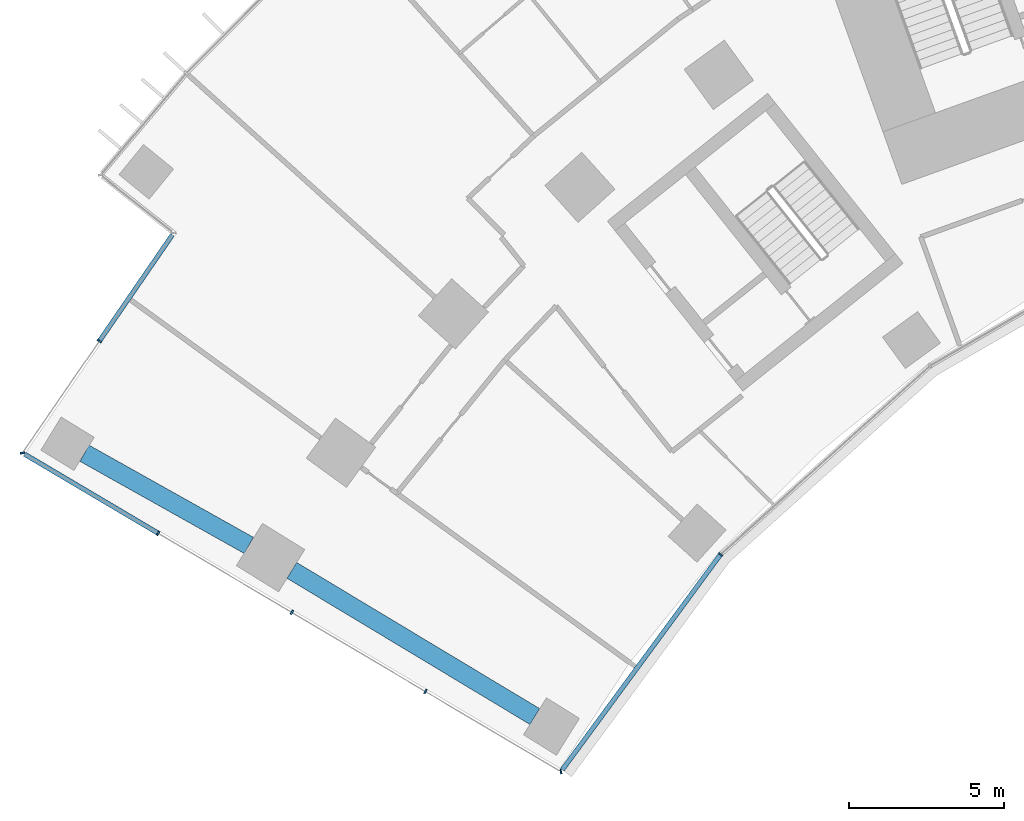
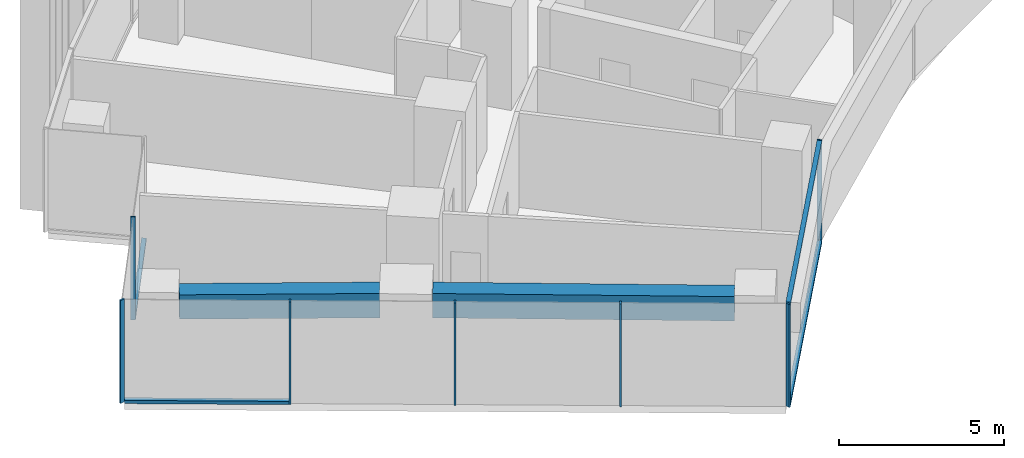
# One storey, part 2 of 24: 11 members, 2 beams, 3 elements without a shape of their own.
"""IFC4 building model written with IfcOpenShell, lengths in metres."""

from ifc_helpers import new_model, si_unit, direction, frame, origin, origin_2d, place, context, subcontext, project, spatial, rectangle, extrude, material, layer, layer_set, material_profile, profile_set, type_object, element, aggregate, save


model = new_model("IFC4")

# Units and contexts
model_context = context("Model", 3, precision=1e-05, world=origin(), true_north=direction((0.0, 1.0)))
body_context = subcontext(model_context, "Body", "Model", "MODEL_VIEW")
ifc_project = project(units=[si_unit("LENGTHUNIT", "METRE"), si_unit("AREAUNIT", "SQUARE_METRE"), si_unit("VOLUMEUNIT", "CUBIC_METRE"), si_unit("PLANEANGLEUNIT", "RADIAN"), si_unit("MASSUNIT", "GRAM", prefix="KILO")], contexts=[model_context])

# Site, building, storey
site_placement = place(None, origin())
site = spatial("IfcSite", under=ifc_project, at=site_placement, CompositionType="ELEMENT")
building_placement = place(site_placement, origin())
building = spatial("IfcBuilding", under=site, at=building_placement, Name="Stone Belt Terrace Tower", CompositionType="ELEMENT")
storey_placement = place(building_placement, frame((0.0, 0.0, 41.39990234375)))
storey = spatial("IfcBuildingStorey", under=building, at=storey_placement, Name="L09", CompositionType="ELEMENT", Elevation=41.39990234375)

# Curtain wall, members
ifc_material_1 = material(Name="Aluminium 6063-T6 anodised frame", Category="aluminium")
ifc_layer_1 = layer(ifc_material_1, 0.14990234375)
ifc_layer_set_1 = layer_set([ifc_layer_1], Name="CW-B unitised concave-face curtain wall")
curtain_wall_type_1 = type_object("IfcCurtainWallType", Name="CW-B unitised concave-face curtain wall", PredefinedType="NOTDEFINED", material=ifc_layer_set_1)
curtain_wall_1_placement = place(storey_placement, origin())
curtain_wall_1 = element("IfcCurtainWall", 1, at=curtain_wall_1_placement, inside=storey, type_object=curtain_wall_type_1, Name="CW-B concave face L09", PredefinedType="NOTDEFINED")
ifc_material_profile_1 = material_profile(ifc_material_1, rectangle(XDim=0.14990234375, YDim=0.050048828125, at=origin_2d()), Name="Aluminium 6063-T6 50x150")
ifc_profile_set_1 = profile_set([ifc_material_profile_1], Name="Aluminium 6063-T6 anodised frame")
member_type_1 = type_object("IfcMemberType", Name="CW-B mullion 50 x 150", PredefinedType="MULLION", material=ifc_profile_set_1)
member_1_placement = place(storey_placement, frame((-37.4140625, 22.0576171875, 0.0), z_axis=(0.0, 0.0, 1.0), x_axis=(-0.199957039009, 0.979804665508, 0.0)))
member_1 = element("IfcMember", 2, at=member_1_placement, type_object=member_type_1, Name="CW-B mullion 1", PredefinedType="MULLION", context=body_context, shape_type="SweptSolid", body=[
    extrude(rectangle(XDim=0.14990234375, YDim=0.050048828125, at=origin_2d()), origin(), (0.0, 0.0, 1.0), 3.800048828125),
])
member_2_placement = place(storey_placement, frame((-32.27099609375, 29.056640625, 0.0), z_axis=(0.0, 0.0, 1.0), x_axis=(-0.741329775891, 0.671140941515, 0.0)))
member_2 = element("IfcMember", 3, at=member_2_placement, type_object=member_type_1, Name="CW-B mullion 2", PredefinedType="MULLION", context=body_context, shape_type="SweptSolid", body=[
    extrude(rectangle(XDim=0.14990234375, YDim=0.050048828125, at=origin_2d()), origin(), (0.0, 0.0, 1.0), 3.800048828125),
])
ifc_material_profile_2 = material_profile(ifc_material_1, rectangle(XDim=0.14990234375, YDim=0.1201171875, at=origin_2d()), Name="Aluminium 6063-T6 150x120")
ifc_profile_set_2 = profile_set([ifc_material_profile_2], Name="Aluminium 6063-T6 anodised frame")
member_type_2 = type_object("IfcMemberType", Name="CW-B transom 120 x 150", PredefinedType="USERDEFINED", material=ifc_profile_set_2)
member_3_placement = place(storey_placement, frame((-37.373291015625, 22.11328125, 0.06005859375), z_axis=(0.592180847905, 0.805805090189, 0.0), x_axis=(-0.805805090189, 0.592180847905, 0.0)))
member_3 = element("IfcMember", 4, at=member_3_placement, type_object=member_type_2, Name="CW-B transom 1.1", ObjectType="TRANSOM", PredefinedType="USERDEFINED", context=body_context, shape_type="SweptSolid", body=[
    extrude(rectangle(XDim=0.14990234375, YDim=0.1201171875, at=origin_2d()), origin(), (0.0, 0.0, 1.0), 8.583984375),
])
member_4_placement = place(storey_placement, frame((-37.373291015625, 22.11328125, 3.739990234375), z_axis=(0.592180847905, 0.805805090189, 0.0), x_axis=(-0.805805090189, 0.592180847905, 0.0)))
member_4 = element("IfcMember", 5, at=member_4_placement, type_object=member_type_2, Name="CW-B transom 1.2", ObjectType="TRANSOM", PredefinedType="USERDEFINED", context=body_context, shape_type="SweptSolid", body=[
    extrude(rectangle(XDim=0.14990234375, YDim=0.1201171875, at=origin_2d()), origin(), (0.0, 0.0, 1.0), 8.583984375),
])
aggregate(curtain_wall_1, [member_1, member_2, member_3, member_4])

# Curtain wall, member
ifc_layer_2 = layer(ifc_material_1, 0.14990234375)
ifc_layer_set_2 = layer_set([ifc_layer_2], Name="CW-C stick curtain wall, horn ends and notches")
curtain_wall_type_2 = type_object("IfcCurtainWallType", Name="CW-C stick curtain wall, horn ends and notches", PredefinedType="NOTDEFINED", material=ifc_layer_set_2)
curtain_wall_2_placement = place(storey_placement, origin())
curtain_wall_2 = element("IfcCurtainWall", 6, at=curtain_wall_2_placement, inside=storey, type_object=curtain_wall_type_2, Name="CW-C notch face L09", PredefinedType="NOTDEFINED")
ifc_material_profile_3 = material_profile(ifc_material_1, rectangle(XDim=0.14990234375, YDim=0.06005859375, at=origin_2d()), Name="Aluminium 6063-T6 60x150")
ifc_profile_set_3 = profile_set([ifc_material_profile_3], Name="Aluminium 6063-T6 anodised frame")
member_type_3 = type_object("IfcMemberType", Name="CW-C mullion 60 x 150", PredefinedType="MULLION", material=ifc_profile_set_3)
member_5_placement = place(storey_placement, frame((-52.275390625, 35.925048828125, 0.0), z_axis=(0.0, 0.0, 1.0), x_axis=(0.824146991357, -0.566375967567, 0.0)))
member_5 = element("IfcMember", 7, at=member_5_placement, type_object=member_type_3, Name="CW-C mullion 2", PredefinedType="MULLION", context=body_context, shape_type="SweptSolid", body=[
    extrude(rectangle(XDim=0.14990234375, YDim=0.06005859375, at=origin_2d()), origin(), (0.0, 0.0, 1.0), 3.800048828125),
])

# Curtain wall, members
curtain_wall_3_placement = place(storey_placement, origin())
curtain_wall_3 = element("IfcCurtainWall", 8, at=curtain_wall_3_placement, inside=storey, type_object=curtain_wall_type_2, Name="CW-C end face L09", PredefinedType="NOTDEFINED")
member_6_placement = place(storey_placement, frame((-54.752685546875, 32.3203125, 0.0), z_axis=(0.0, 0.0, 1.0), x_axis=(0.976519557331, 0.215428768157, 0.0)))
member_6 = element("IfcMember", 9, at=member_6_placement, type_object=member_type_3, Name="CW-C mullion 1", PredefinedType="MULLION", context=body_context, shape_type="SweptSolid", body=[
    extrude(rectangle(XDim=0.14990234375, YDim=0.06005859375, at=origin_2d()), origin(), (0.0, 0.0, 1.0), 3.800048828125),
])
member_7_placement = place(storey_placement, frame((-50.380859375, 29.732666015625, 0.0), z_axis=(0.0, 0.0, 1.0), x_axis=(0.509352918793, 0.860557728521, 0.0)))
member_7 = element("IfcMember", 10, at=member_7_placement, type_object=member_type_3, Name="CW-C mullion 2", PredefinedType="MULLION", context=body_context, shape_type="SweptSolid", body=[
    extrude(rectangle(XDim=0.14990234375, YDim=0.06005859375, at=origin_2d()), origin(), (0.0, 0.0, 1.0), 3.800048828125),
])
member_8_placement = place(storey_placement, frame((-46.078125, 27.185791015625, 0.0), z_axis=(0.0, 0.0, 1.0), x_axis=(0.509352918793, 0.860557728521, 0.0)))
member_8 = element("IfcMember", 11, at=member_8_placement, type_object=member_type_3, Name="CW-C mullion 3", PredefinedType="MULLION", context=body_context, shape_type="SweptSolid", body=[
    extrude(rectangle(XDim=0.14990234375, YDim=0.06005859375, at=origin_2d()), origin(), (0.0, 0.0, 1.0), 3.800048828125),
])
member_9_placement = place(storey_placement, frame((-41.775146484375, 24.63916015625, 0.0), z_axis=(0.0, 0.0, 1.0), x_axis=(0.509352918793, 0.860557728521, 0.0)))
member_9 = element("IfcMember", 12, at=member_9_placement, type_object=member_type_3, Name="CW-C mullion 4", PredefinedType="MULLION", context=body_context, shape_type="SweptSolid", body=[
    extrude(rectangle(XDim=0.14990234375, YDim=0.06005859375, at=origin_2d()), origin(), (0.0, 0.0, 1.0), 3.800048828125),
])

# Member
ifc_material_profile_4 = material_profile(ifc_material_1, rectangle(XDim=0.14990234375, YDim=0.1201171875, at=origin_2d()), Name="Aluminium 6063-T6 150x120")
ifc_profile_set_4 = profile_set([ifc_material_profile_4], Name="Aluminium 6063-T6 anodised frame")
member_type_4 = type_object("IfcMemberType", Name="CW-C transom 120 x 150", PredefinedType="USERDEFINED", material=ifc_profile_set_4)
member_10_placement = place(storey_placement, frame((-49.924560546875, 39.345703125, 0.06005859375), z_axis=(-0.566362850847, -0.824156005365, 0.0), x_axis=(0.824156005365, -0.566362850847, 0.0)))
member_10 = element("IfcMember", 13, at=member_10_placement, type_object=member_type_4, Name="CW-C transom 1.1", ObjectType="TRANSOM", PredefinedType="USERDEFINED", context=body_context, shape_type="SweptSolid", body=[
    extrude(rectangle(XDim=0.14990234375, YDim=0.1201171875, at=origin_2d()), origin(), (0.0, 0.0, 1.0), 4.12060546875),
])

aggregate(curtain_wall_2, [member_5, member_10])

member_11_placement = place(storey_placement, frame((-54.68798828125, 32.281982421875, 0.06005859375), z_axis=(0.860543319846, -0.509377261633, 0.0), x_axis=(0.509377261633, 0.860543319846, 0.0)))
member_11 = element("IfcMember", 14, at=member_11_placement, type_object=member_type_4, Name="CW-C transom 1.1", ObjectType="TRANSOM", PredefinedType="USERDEFINED", context=body_context, shape_type="SweptSolid", body=[
    extrude(rectangle(XDim=0.14990234375, YDim=0.1201171875, at=origin_2d()), origin(), (0.0, 0.0, 1.0), 4.97509765625),
])

aggregate(curtain_wall_3, [member_6, member_7, member_8, member_9, member_11])

# Beams
ifc_material_2 = material(Name="Concrete B60", Category="concrete")
ifc_material_profile_5 = material_profile(ifc_material_2, rectangle(XDim=0.60009765625, YDim=0.89990234375, at=origin_2d()), Name="RC 600x900")
ifc_profile_set_5 = profile_set([ifc_material_profile_5], Name="Concrete B60")
beam_type = type_object("IfcBeamType", Name="Edge beam RC 600x900 B60", PredefinedType="SPANDREL", material=ifc_profile_set_5)
beam_1_placement = place(storey_placement, frame((-38.253662109375, 23.83203125, 3.030029296875), z_axis=(-0.856900189152, 0.51548236229, 0.0), x_axis=(-0.51548236229, -0.856900189152, 0.0)))
element("IfcBeam", 15, at=beam_1_placement, inside=storey, type_object=beam_type, Name="Edge beam L09 A P to Q", PredefinedType="SPANDREL", context=body_context, shape_type="SweptSolid", body=[
    extrude(rectangle(XDim=0.60009765625, YDim=0.89990234375, at=origin_2d()), origin(), (0.0, 0.0, 1.0), 9.130859375),
])
beam_2_placement = place(storey_placement, frame((-47.4619140625, 29.3427734375, 3.030029296875), z_axis=(-0.872212947991, 0.489126336806, 0.0), x_axis=(-0.489126336806, -0.872212947991, 0.0)))
element("IfcBeam", 16, at=beam_2_placement, inside=storey, type_object=beam_type, Name="Edge beam L09 A Q to R", PredefinedType="SPANDREL", context=body_context, shape_type="SweptSolid", body=[
    extrude(rectangle(XDim=0.60009765625, YDim=0.89990234375, at=origin_2d()), origin(), (0.0, 0.0, 1.0), 6.069091796875),
])

save(model, "model.ifc")
